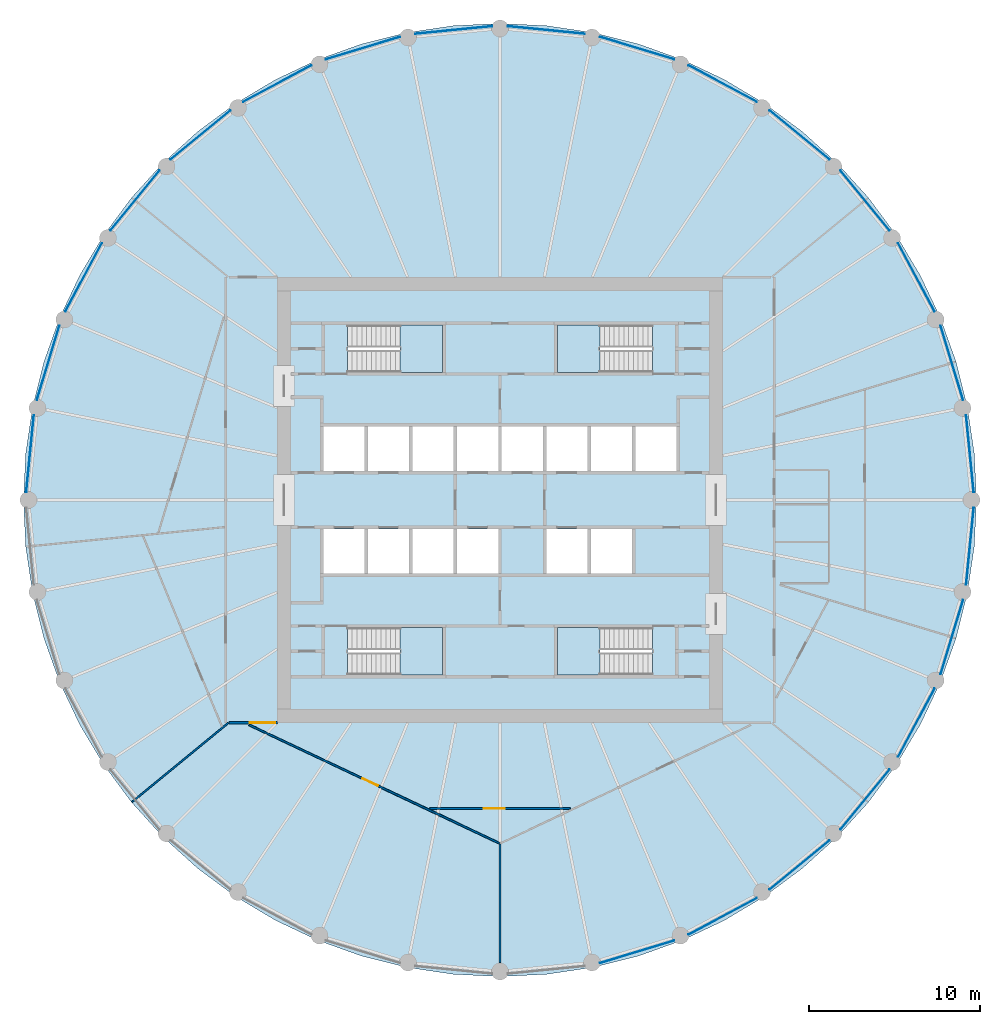
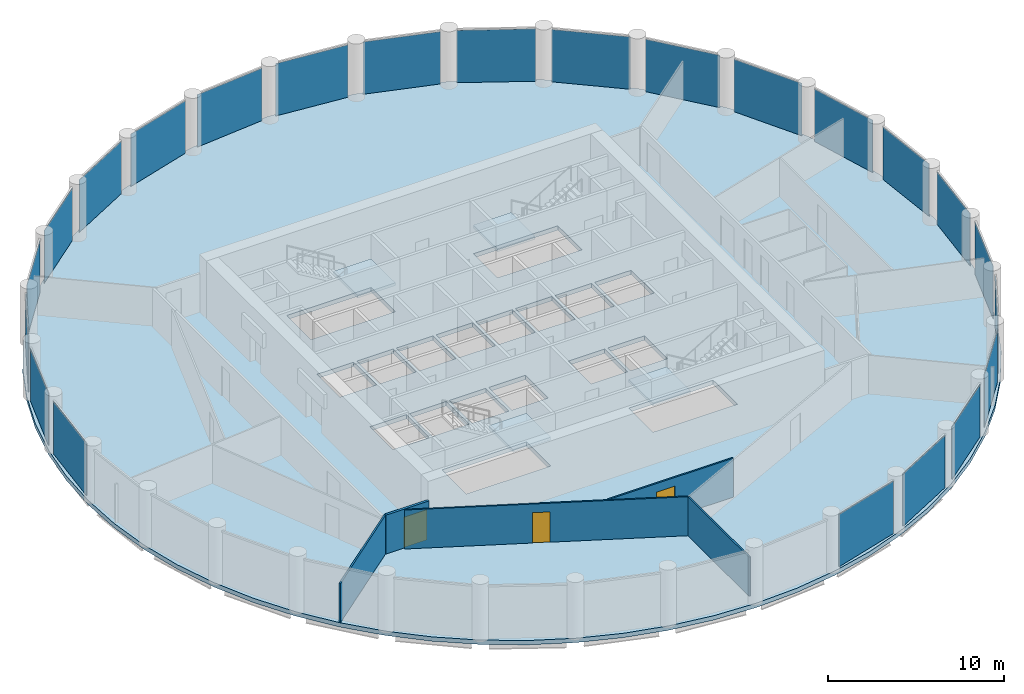
# One storey, part 3 of 8: 23 plates, 5 slabs, 5 walls, 3 doors, 3 openings, 27 elements without a shape of their own.
"""IFC4 building model written with IfcOpenShell, lengths in metres."""

from ifc_helpers import new_model, si_unit, direction, frame, frame_2d, origin, origin_2d, place, context, subcontext, project, spatial, polyline, rectangle, outline, extrude, material, layer, layer_set, type_object, element, fill, aggregate, save


model = new_model("IFC4")

# Units and contexts
model_context = context("Model", 3, precision=1e-05, world=origin(), true_north=direction((0.0, 1.0)))
body_context = subcontext(model_context, "Body", "Model", "MODEL_VIEW")
ifc_project = project(units=[si_unit("LENGTHUNIT", "METRE"), si_unit("AREAUNIT", "SQUARE_METRE"), si_unit("VOLUMEUNIT", "CUBIC_METRE"), si_unit("PLANEANGLEUNIT", "RADIAN"), si_unit("MASSUNIT", "GRAM", prefix="KILO")], contexts=[model_context])

# Site, building, storey
site_placement = place(None, origin())
site = spatial("IfcSite", under=ifc_project, at=site_placement, CompositionType="ELEMENT")
building_placement = place(site_placement, origin())
building = spatial("IfcBuilding", under=site, at=building_placement, Name="Corvane Civic Tower", CompositionType="ELEMENT")
storey_placement = place(building_placement, frame((0.0, 0.0, 245.5)))
storey = spatial("IfcBuildingStorey", under=building, at=storey_placement, Name="L58", CompositionType="ELEMENT", Elevation=245.5)

# Slab
ifc_material_1 = material(Name="Concrete C40/50", Category="concrete")
ifc_layer_1 = layer(ifc_material_1, 0.300048828125)
ifc_layer_set_1 = layer_set([ifc_layer_1], Name="Concrete C40/50")
slab_type_1 = type_object("IfcSlabType", Name="FLOOR SLAB 300", PredefinedType="FLOOR", material=ifc_layer_set_1)
slab_1_placement = place(storey_placement, frame((0.0, 0.0, -0.300048828125)))
element("IfcSlab", 1, at=slab_1_placement, inside=storey, type_object=slab_type_1, Name="SLB-L58", PredefinedType="FLOOR", context=body_context, shape_type="SweptSolid", body=[
    extrude(outline(polyline([(0.0, 27.800048828125), (-2.724853515625, 27.666015625), (-5.423583984375, 27.265869140625), (-8.06982421875, 26.60302734375), (-10.638671875, 25.683837890625), (-13.104736328125, 24.517333984375), (-15.44482421875, 23.11474609375), (-17.63623046875, 21.48974609375), (-19.657470703125, 19.657470703125), (-21.48974609375, 17.63623046875), (-23.11474609375, 15.44482421875), (-24.517333984375, 13.104736328125), (-25.683837890625, 10.638671875), (-26.60302734375, 8.06982421875), (-27.265869140625, 5.423583984375), (-27.666015625, 2.724853515625), (-27.800048828125, 0.0), (-27.666015625, -2.724853515625), (-27.265869140625, -5.423583984375), (-26.60302734375, -8.06982421875), (-25.683837890625, -10.638671875), (-24.517333984375, -13.104736328125), (-23.11474609375, -15.44482421875), (-21.48974609375, -17.63623046875), (-19.657470703125, -19.657470703125), (-17.63623046875, -21.48974609375), (-15.44482421875, -23.11474609375), (-13.104736328125, -24.517333984375), (-10.638671875, -25.683837890625), (-8.06982421875, -26.60302734375), (-5.423583984375, -27.265869140625), (-2.724853515625, -27.666015625), (0.0, -27.800048828125), (2.724853515625, -27.666015625), (5.423583984375, -27.265869140625), (8.06982421875, -26.60302734375), (10.638671875, -25.683837890625), (13.104736328125, -24.517333984375), (15.44482421875, -23.11474609375), (17.63623046875, -21.48974609375), (19.657470703125, -19.657470703125), (21.48974609375, -17.63623046875), (23.11474609375, -15.44482421875), (24.517333984375, -13.104736328125), (25.683837890625, -10.638671875), (26.60302734375, -8.06982421875), (27.265869140625, -5.423583984375), (27.666015625, -2.724853515625), (27.800048828125, 0.0), (27.666015625, 2.724853515625), (27.265869140625, 5.423583984375), (26.60302734375, 8.06982421875), (25.683837890625, 10.638671875), (24.517333984375, 13.104736328125), (23.11474609375, 15.44482421875), (21.48974609375, 17.63623046875), (19.657470703125, 19.657470703125), (17.63623046875, 21.48974609375), (15.44482421875, 23.11474609375), (13.104736328125, 24.517333984375), (10.638671875, 25.683837890625), (8.06982421875, 26.60302734375), (5.423583984375, 27.265869140625), (2.724853515625, 27.666015625), (0.0, 27.800048828125)]), holes=[polyline([(-10.300048828125, 4.300048828125), (-7.89990234375, 4.300048828125), (-7.89990234375, 1.699951171875), (-10.300048828125, 1.699951171875), (-10.300048828125, 4.300048828125)]), polyline([(-5.300048828125, 1.699951171875), (-7.699951171875, 1.699951171875), (-7.699951171875, 4.300048828125), (-5.300048828125, 4.300048828125), (-5.300048828125, 1.699951171875)]), polyline([(-5.10009765625, 4.300048828125), (-2.699951171875, 4.300048828125), (-2.699951171875, 1.699951171875), (-5.10009765625, 1.699951171875), (-5.10009765625, 4.300048828125)]), polyline([(-2.5, 4.300048828125), (-0.10009765625, 4.300048828125), (-0.10009765625, 1.699951171875), (-2.5, 1.699951171875), (-2.5, 4.300048828125)]), polyline([(0.10009765625, 4.300048828125), (2.5, 4.300048828125), (2.5, 1.699951171875), (0.10009765625, 1.699951171875), (0.10009765625, 4.300048828125)]), polyline([(2.699951171875, 4.300048828125), (5.10009765625, 4.300048828125), (5.10009765625, 1.699951171875), (2.699951171875, 1.699951171875), (2.699951171875, 4.300048828125)]), polyline([(5.300048828125, 4.300048828125), (7.699951171875, 4.300048828125), (7.699951171875, 1.699951171875), (5.300048828125, 1.699951171875), (5.300048828125, 4.300048828125)]), polyline([(7.89990234375, 4.300048828125), (10.300048828125, 4.300048828125), (10.300048828125, 1.699951171875), (7.89990234375, 1.699951171875), (7.89990234375, 4.300048828125)]), polyline([(-10.300048828125, -4.300048828125), (-10.300048828125, -1.699951171875), (-7.89990234375, -1.699951171875), (-7.89990234375, -4.300048828125), (-10.300048828125, -4.300048828125)]), polyline([(-5.300048828125, -1.699951171875), (-5.300048828125, -4.300048828125), (-7.699951171875, -4.300048828125), (-7.699951171875, -1.699951171875), (-5.300048828125, -1.699951171875)]), polyline([(-5.10009765625, -4.300048828125), (-5.10009765625, -1.699951171875), (-2.699951171875, -1.699951171875), (-2.699951171875, -4.300048828125), (-5.10009765625, -4.300048828125)]), polyline([(-0.10009765625, -1.699951171875), (-0.10009765625, -4.300048828125), (-2.5, -4.300048828125), (-2.5, -1.699951171875), (-0.10009765625, -1.699951171875)]), polyline([(5.10009765625, -1.699951171875), (5.10009765625, -4.300048828125), (2.699951171875, -4.300048828125), (2.699951171875, -1.699951171875), (5.10009765625, -1.699951171875)]), polyline([(7.699951171875, -1.699951171875), (7.699951171875, -4.300048828125), (5.300048828125, -4.300048828125), (5.300048828125, -1.699951171875), (7.699951171875, -1.699951171875)]), polyline([(8.889892578125, 10.199951171875), (8.889892578125, 7.449951171875), (3.35009765625, 7.449951171875), (3.35009765625, 10.199951171875), (8.889892578125, 10.199951171875)]), polyline([(-8.889892578125, 7.449951171875), (-8.889892578125, 10.199951171875), (-3.35009765625, 10.199951171875), (-3.35009765625, 7.449951171875), (-8.889892578125, 7.449951171875)]), polyline([(8.889892578125, -7.449951171875), (8.889892578125, -10.199951171875), (3.35009765625, -10.199951171875), (3.35009765625, -7.449951171875), (8.889892578125, -7.449951171875)]), polyline([(-8.889892578125, -10.199951171875), (-8.889892578125, -7.449951171875), (-3.35009765625, -7.449951171875), (-3.35009765625, -10.199951171875), (-8.889892578125, -10.199951171875)])]), origin(), (0.0, 0.0, 1.0), 0.300048828125),
])

# Stair, slab
ifc_material_2 = material(Name="Concrete C40/50", Category="concrete")
stair_type = type_object("IfcStairType", Name="ST-STAIR-HALFTURN", PredefinedType="HALF_TURN_STAIR", material=ifc_material_2)
stair_1_placement = place(storey_placement, origin())
stair_1 = element("IfcStair", 2, at=stair_1_placement, inside=storey, type_object=stair_type, Name="L58 Exit stair ST1", PredefinedType="HALF_TURN_STAIR")
ifc_material_3 = material(Name="Concrete C40/50", Category="concrete")
ifc_layer_2 = layer(ifc_material_3, 0.199951171875)
ifc_layer_set_2 = layer_set([ifc_layer_2], Name="Concrete C40/50")
slab_type_2 = type_object("IfcSlabType", Name="ST-LANDING-RC", PredefinedType="LANDING", material=ifc_layer_set_2)
slab_2_placement = place(storey_placement, frame((0.0, 0.0, 1.800048828125)))
slab_2 = element("IfcSlab", 3, at=slab_2_placement, type_object=slab_type_2, Name="ST1 landing 1", PredefinedType="LANDING", context=body_context, shape_type="SweptSolid", body=[
    extrude(outline(polyline([(5.820068359375, 10.199951171875), (3.35009765625, 10.199951171875), (3.35009765625, 7.449951171875), (5.820068359375, 7.449951171875), (5.820068359375, 10.199951171875)])), origin(), (0.0, 0.0, 1.0), 0.199951171875),
])
aggregate(stair_1, [slab_2])

stair_2_placement = place(storey_placement, origin())
stair_2 = element("IfcStair", 4, at=stair_2_placement, inside=storey, type_object=stair_type, Name="L58 Exit stair ST2", PredefinedType="HALF_TURN_STAIR")
slab_3_placement = place(storey_placement, frame((0.0, 0.0, 1.800048828125)))
slab_3 = element("IfcSlab", 5, at=slab_3_placement, type_object=slab_type_2, Name="ST2 landing 1", PredefinedType="LANDING", context=body_context, shape_type="SweptSolid", body=[
    extrude(outline(polyline([(5.820068359375, -7.449951171875), (3.35009765625, -7.449951171875), (3.35009765625, -10.199951171875), (5.820068359375, -10.199951171875), (5.820068359375, -7.449951171875)])), origin(), (0.0, 0.0, 1.0), 0.199951171875),
])
aggregate(stair_2, [slab_3])

stair_3_placement = place(storey_placement, origin())
stair_3 = element("IfcStair", 6, at=stair_3_placement, inside=storey, type_object=stair_type, Name="L58 Exit stair ST3", PredefinedType="HALF_TURN_STAIR")
slab_4_placement = place(storey_placement, frame((0.0, 0.0, 1.800048828125)))
slab_4 = element("IfcSlab", 7, at=slab_4_placement, type_object=slab_type_2, Name="ST3 landing 1", PredefinedType="LANDING", context=body_context, shape_type="SweptSolid", body=[
    extrude(outline(polyline([(-5.820068359375, -10.199951171875), (-3.35009765625, -10.199951171875), (-3.35009765625, -7.449951171875), (-5.820068359375, -7.449951171875), (-5.820068359375, -10.199951171875)])), origin(), (0.0, 0.0, 1.0), 0.199951171875),
])
aggregate(stair_3, [slab_4])

stair_4_placement = place(storey_placement, origin())
stair_4 = element("IfcStair", 8, at=stair_4_placement, inside=storey, type_object=stair_type, Name="L58 Exit stair ST4", PredefinedType="HALF_TURN_STAIR")
slab_5_placement = place(storey_placement, frame((0.0, 0.0, 1.800048828125)))
slab_5 = element("IfcSlab", 9, at=slab_5_placement, type_object=slab_type_2, Name="ST4 landing 1", PredefinedType="LANDING", context=body_context, shape_type="SweptSolid", body=[
    extrude(outline(polyline([(-5.820068359375, 7.449951171875), (-3.35009765625, 7.449951171875), (-3.35009765625, 10.199951171875), (-5.820068359375, 10.199951171875), (-5.820068359375, 7.449951171875)])), origin(), (0.0, 0.0, 1.0), 0.199951171875),
])
aggregate(stair_4, [slab_5])

# Curtain wall, plate
ifc_material_4 = material(Name="Anodised aluminium bronze", Category="aluminium")
curtain_wall_type = type_object("IfcCurtainWallType", Name="TOWER CW-T2 STICK CURTAIN WALL", PredefinedType="NOTDEFINED", material=ifc_material_4)
curtain_wall_1_placement = place(storey_placement, origin())
curtain_wall_1 = element("IfcCurtainWall", 10, at=curtain_wall_1_placement, inside=storey, type_object=curtain_wall_type, Name="Curtain wall CW-T2 L58 bay 01", PredefinedType="NOTDEFINED")
ifc_material_5 = material(Name="Tinted glass", Category="glass")
ifc_layer_3 = layer(ifc_material_5, 0.031982421875)
ifc_layer_set_3 = layer_set([ifc_layer_3], Name="Tinted glass")
plate_type = type_object("IfcPlateType", Name="TOWER CW-T2 PANEL IGU32", PredefinedType="CURTAIN_PANEL", material=ifc_layer_set_3)
plate_1_placement = place(storey_placement, frame((2.699951171875, 27.4140625, 0.0), z_axis=(0.0, 0.0, 1.0), x_axis=(0.995187058378, -0.097993463235, 0.0)))
plate_1 = element("IfcPlate", 11, at=plate_1_placement, type_object=plate_type, Name="Glass panel CW-T2 L58 01.1", PredefinedType="CURTAIN_PANEL", context=body_context, shape_type="SweptSolid", body=[
    extrude(rectangle(XDim=4.517333984375, YDim=0.031982421875, at=origin_2d()), origin(), (0.0, 0.0, 1.0), 3.6298828125),
])
aggregate(curtain_wall_1, [plate_1])

curtain_wall_2_placement = place(storey_placement, origin())
curtain_wall_2 = element("IfcCurtainWall", 12, at=curtain_wall_2_placement, inside=storey, type_object=curtain_wall_type, Name="Curtain wall CW-T2 L58 bay 02", PredefinedType="NOTDEFINED")
plate_2_placement = place(storey_placement, frame((7.996337890625, 26.360595703125, 0.0), z_axis=(0.0, 0.0, 1.0), x_axis=(0.956938843612, -0.290289596069, 0.0)))
plate_2 = element("IfcPlate", 13, at=plate_2_placement, type_object=plate_type, Name="Glass panel CW-T2 L58 02.1", PredefinedType="CURTAIN_PANEL", context=body_context, shape_type="SweptSolid", body=[
    extrude(rectangle(XDim=4.517333984375, YDim=0.031982421875, at=origin_2d()), origin(), (0.0, 0.0, 1.0), 3.6298828125),
])
aggregate(curtain_wall_2, [plate_2])

curtain_wall_3_placement = place(storey_placement, origin())
curtain_wall_3 = element("IfcCurtainWall", 14, at=curtain_wall_3_placement, inside=storey, type_object=curtain_wall_type, Name="Curtain wall CW-T2 L58 bay 03", PredefinedType="NOTDEFINED")
plate_3_placement = place(storey_placement, frame((12.9853515625, 24.294189453125, 0.0), z_axis=(0.0, 0.0, 1.0), x_axis=(0.881920381001, -0.471398389449, 0.0)))
plate_3 = element("IfcPlate", 15, at=plate_3_placement, type_object=plate_type, Name="Glass panel CW-T2 L58 03.1", PredefinedType="CURTAIN_PANEL", context=body_context, shape_type="SweptSolid", body=[
    extrude(rectangle(XDim=4.517333984375, YDim=0.031982421875, at=origin_2d()), origin(), (0.0, 0.0, 1.0), 3.6298828125),
])
aggregate(curtain_wall_3, [plate_3])

curtain_wall_4_placement = place(storey_placement, origin())
curtain_wall_4 = element("IfcCurtainWall", 16, at=curtain_wall_4_placement, inside=storey, type_object=curtain_wall_type, Name="Curtain wall CW-T2 L58 bay 04", PredefinedType="NOTDEFINED")
plate_4_placement = place(storey_placement, frame((17.475341796875, 21.2939453125, 0.0), z_axis=(0.0, 0.0, 1.0), x_axis=(0.773012269331, -0.634391071394, 0.0)))
plate_4 = element("IfcPlate", 17, at=plate_4_placement, type_object=plate_type, Name="Glass panel CW-T2 L58 04.1", PredefinedType="CURTAIN_PANEL", context=body_context, shape_type="SweptSolid", body=[
    extrude(rectangle(XDim=4.517333984375, YDim=0.031982421875, at=origin_2d()), origin(), (0.0, 0.0, 1.0), 3.6298828125),
])
aggregate(curtain_wall_4, [plate_4])

curtain_wall_5_placement = place(storey_placement, origin())
curtain_wall_5 = element("IfcCurtainWall", 18, at=curtain_wall_5_placement, inside=storey, type_object=curtain_wall_type, Name="Curtain wall CW-T2 L58 bay 05", PredefinedType="NOTDEFINED")
plate_5_placement = place(storey_placement, frame((21.2939453125, 17.475341796875, 0.0), z_axis=(0.0, 0.0, 1.0), x_axis=(0.634391071394, -0.773012269331, 0.0)))
plate_5 = element("IfcPlate", 19, at=plate_5_placement, type_object=plate_type, Name="Glass panel CW-T2 L58 05.1", PredefinedType="CURTAIN_PANEL", context=body_context, shape_type="SweptSolid", body=[
    extrude(rectangle(XDim=4.517333984375, YDim=0.031982421875, at=origin_2d()), origin(), (0.0, 0.0, 1.0), 3.6298828125),
])
aggregate(curtain_wall_5, [plate_5])

curtain_wall_6_placement = place(storey_placement, origin())
curtain_wall_6 = element("IfcCurtainWall", 20, at=curtain_wall_6_placement, inside=storey, type_object=curtain_wall_type, Name="Curtain wall CW-T2 L58 bay 06", PredefinedType="NOTDEFINED")
plate_6_placement = place(storey_placement, frame((24.294189453125, 12.9853515625, 0.0), z_axis=(0.0, 0.0, 1.0), x_axis=(0.471398389449, -0.881920381001, 0.0)))
plate_6 = element("IfcPlate", 21, at=plate_6_placement, type_object=plate_type, Name="Glass panel CW-T2 L58 06.1", PredefinedType="CURTAIN_PANEL", context=body_context, shape_type="SweptSolid", body=[
    extrude(rectangle(XDim=4.517333984375, YDim=0.031982421875, at=origin_2d()), origin(), (0.0, 0.0, 1.0), 3.6298828125),
])
aggregate(curtain_wall_6, [plate_6])

curtain_wall_7_placement = place(storey_placement, origin())
curtain_wall_7 = element("IfcCurtainWall", 22, at=curtain_wall_7_placement, inside=storey, type_object=curtain_wall_type, Name="Curtain wall CW-T2 L58 bay 07", PredefinedType="NOTDEFINED")
plate_7_placement = place(storey_placement, frame((26.360595703125, 7.996337890625, 0.0), z_axis=(0.0, 0.0, 1.0), x_axis=(0.290289596069, -0.956938843612, 0.0)))
plate_7 = element("IfcPlate", 23, at=plate_7_placement, type_object=plate_type, Name="Glass panel CW-T2 L58 07.1", PredefinedType="CURTAIN_PANEL", context=body_context, shape_type="SweptSolid", body=[
    extrude(rectangle(XDim=4.517333984375, YDim=0.031982421875, at=origin_2d()), origin(), (0.0, 0.0, 1.0), 3.6298828125),
])
aggregate(curtain_wall_7, [plate_7])

curtain_wall_8_placement = place(storey_placement, origin())
curtain_wall_8 = element("IfcCurtainWall", 24, at=curtain_wall_8_placement, inside=storey, type_object=curtain_wall_type, Name="Curtain wall CW-T2 L58 bay 08", PredefinedType="NOTDEFINED")
plate_8_placement = place(storey_placement, frame((27.4140625, 2.699951171875, 0.0), z_axis=(0.0, 0.0, 1.0), x_axis=(0.097993463235, -0.995187058378, 0.0)))
plate_8 = element("IfcPlate", 25, at=plate_8_placement, type_object=plate_type, Name="Glass panel CW-T2 L58 08.1", PredefinedType="CURTAIN_PANEL", context=body_context, shape_type="SweptSolid", body=[
    extrude(rectangle(XDim=4.517333984375, YDim=0.031982421875, at=origin_2d()), origin(), (0.0, 0.0, 1.0), 3.6298828125),
])
aggregate(curtain_wall_8, [plate_8])

curtain_wall_9_placement = place(storey_placement, origin())
curtain_wall_9 = element("IfcCurtainWall", 26, at=curtain_wall_9_placement, inside=storey, type_object=curtain_wall_type, Name="Curtain wall CW-T2 L58 bay 09", PredefinedType="NOTDEFINED")
plate_9_placement = place(storey_placement, frame((27.4140625, -2.699951171875, 0.0), z_axis=(0.0, 0.0, 1.0), x_axis=(-0.097993463235, -0.995187058378, 0.0)))
plate_9 = element("IfcPlate", 27, at=plate_9_placement, type_object=plate_type, Name="Glass panel CW-T2 L58 09.1", PredefinedType="CURTAIN_PANEL", context=body_context, shape_type="SweptSolid", body=[
    extrude(rectangle(XDim=4.517333984375, YDim=0.031982421875, at=origin_2d()), origin(), (0.0, 0.0, 1.0), 3.6298828125),
])
aggregate(curtain_wall_9, [plate_9])

curtain_wall_10_placement = place(storey_placement, origin())
curtain_wall_10 = element("IfcCurtainWall", 28, at=curtain_wall_10_placement, inside=storey, type_object=curtain_wall_type, Name="Curtain wall CW-T2 L58 bay 10", PredefinedType="NOTDEFINED")
plate_10_placement = place(storey_placement, frame((26.360595703125, -7.996337890625, 0.0), z_axis=(0.0, 0.0, 1.0), x_axis=(-0.290289596069, -0.956938843612, 0.0)))
plate_10 = element("IfcPlate", 29, at=plate_10_placement, type_object=plate_type, Name="Glass panel CW-T2 L58 10.1", PredefinedType="CURTAIN_PANEL", context=body_context, shape_type="SweptSolid", body=[
    extrude(rectangle(XDim=4.517333984375, YDim=0.031982421875, at=origin_2d()), origin(), (0.0, 0.0, 1.0), 3.6298828125),
])
aggregate(curtain_wall_10, [plate_10])

curtain_wall_11_placement = place(storey_placement, origin())
curtain_wall_11 = element("IfcCurtainWall", 30, at=curtain_wall_11_placement, inside=storey, type_object=curtain_wall_type, Name="Curtain wall CW-T2 L58 bay 11", PredefinedType="NOTDEFINED")
plate_11_placement = place(storey_placement, frame((24.294189453125, -12.9853515625, 0.0), z_axis=(0.0, 0.0, 1.0), x_axis=(-0.471398389449, -0.881920381001, 0.0)))
plate_11 = element("IfcPlate", 31, at=plate_11_placement, type_object=plate_type, Name="Glass panel CW-T2 L58 11.1", PredefinedType="CURTAIN_PANEL", context=body_context, shape_type="SweptSolid", body=[
    extrude(rectangle(XDim=4.517333984375, YDim=0.031982421875, at=origin_2d()), origin(), (0.0, 0.0, 1.0), 3.6298828125),
])
aggregate(curtain_wall_11, [plate_11])

curtain_wall_12_placement = place(storey_placement, origin())
curtain_wall_12 = element("IfcCurtainWall", 32, at=curtain_wall_12_placement, inside=storey, type_object=curtain_wall_type, Name="Curtain wall CW-T2 L58 bay 12", PredefinedType="NOTDEFINED")
plate_12_placement = place(storey_placement, frame((21.2939453125, -17.475341796875, 0.0), z_axis=(0.0, 0.0, 1.0), x_axis=(-0.634391071394, -0.773012269331, 0.0)))
plate_12 = element("IfcPlate", 33, at=plate_12_placement, type_object=plate_type, Name="Glass panel CW-T2 L58 12.1", PredefinedType="CURTAIN_PANEL", context=body_context, shape_type="SweptSolid", body=[
    extrude(rectangle(XDim=4.517333984375, YDim=0.031982421875, at=origin_2d()), origin(), (0.0, 0.0, 1.0), 3.6298828125),
])
aggregate(curtain_wall_12, [plate_12])

curtain_wall_13_placement = place(storey_placement, origin())
curtain_wall_13 = element("IfcCurtainWall", 34, at=curtain_wall_13_placement, inside=storey, type_object=curtain_wall_type, Name="Curtain wall CW-T2 L58 bay 13", PredefinedType="NOTDEFINED")
plate_13_placement = place(storey_placement, frame((17.475341796875, -21.2939453125, 0.0), z_axis=(0.0, 0.0, 1.0), x_axis=(-0.773012269331, -0.634391071394, 0.0)))
plate_13 = element("IfcPlate", 35, at=plate_13_placement, type_object=plate_type, Name="Glass panel CW-T2 L58 13.1", PredefinedType="CURTAIN_PANEL", context=body_context, shape_type="SweptSolid", body=[
    extrude(rectangle(XDim=4.517333984375, YDim=0.031982421875, at=origin_2d()), origin(), (0.0, 0.0, 1.0), 3.6298828125),
])
aggregate(curtain_wall_13, [plate_13])

curtain_wall_14_placement = place(storey_placement, origin())
curtain_wall_14 = element("IfcCurtainWall", 36, at=curtain_wall_14_placement, inside=storey, type_object=curtain_wall_type, Name="Curtain wall CW-T2 L58 bay 14", PredefinedType="NOTDEFINED")
plate_14_placement = place(storey_placement, frame((12.9853515625, -24.294189453125, 0.0), z_axis=(0.0, 0.0, 1.0), x_axis=(-0.881920381001, -0.471398389449, 0.0)))
plate_14 = element("IfcPlate", 37, at=plate_14_placement, type_object=plate_type, Name="Glass panel CW-T2 L58 14.1", PredefinedType="CURTAIN_PANEL", context=body_context, shape_type="SweptSolid", body=[
    extrude(rectangle(XDim=4.517333984375, YDim=0.031982421875, at=origin_2d()), origin(), (0.0, 0.0, 1.0), 3.6298828125),
])
aggregate(curtain_wall_14, [plate_14])

curtain_wall_15_placement = place(storey_placement, origin())
curtain_wall_15 = element("IfcCurtainWall", 38, at=curtain_wall_15_placement, inside=storey, type_object=curtain_wall_type, Name="Curtain wall CW-T2 L58 bay 15", PredefinedType="NOTDEFINED")
plate_15_placement = place(storey_placement, frame((7.996337890625, -26.360595703125, 0.0), z_axis=(0.0, 0.0, 1.0), x_axis=(-0.956938843612, -0.290289596069, 0.0)))
plate_15 = element("IfcPlate", 39, at=plate_15_placement, type_object=plate_type, Name="Glass panel CW-T2 L58 15.1", PredefinedType="CURTAIN_PANEL", context=body_context, shape_type="SweptSolid", body=[
    extrude(rectangle(XDim=4.517333984375, YDim=0.031982421875, at=origin_2d()), origin(), (0.0, 0.0, 1.0), 3.6298828125),
])
aggregate(curtain_wall_15, [plate_15])

curtain_wall_16_placement = place(storey_placement, origin())
curtain_wall_16 = element("IfcCurtainWall", 40, at=curtain_wall_16_placement, inside=storey, type_object=curtain_wall_type, Name="Curtain wall CW-T2 L58 bay 25", PredefinedType="NOTDEFINED")
plate_16_placement = place(storey_placement, frame((-27.4140625, 2.699951171875, 0.0), z_axis=(0.0, 0.0, 1.0), x_axis=(0.097993463235, 0.995187058378, 0.0)))
plate_16 = element("IfcPlate", 41, at=plate_16_placement, type_object=plate_type, Name="Glass panel CW-T2 L58 25.1", PredefinedType="CURTAIN_PANEL", context=body_context, shape_type="SweptSolid", body=[
    extrude(rectangle(XDim=4.517333984375, YDim=0.031982421875, at=origin_2d()), origin(), (0.0, 0.0, 1.0), 3.6298828125),
])
aggregate(curtain_wall_16, [plate_16])

curtain_wall_17_placement = place(storey_placement, origin())
curtain_wall_17 = element("IfcCurtainWall", 42, at=curtain_wall_17_placement, inside=storey, type_object=curtain_wall_type, Name="Curtain wall CW-T2 L58 bay 26", PredefinedType="NOTDEFINED")
plate_17_placement = place(storey_placement, frame((-26.360595703125, 7.996337890625, 0.0), z_axis=(0.0, 0.0, 1.0), x_axis=(0.290289596069, 0.956938843612, 0.0)))
plate_17 = element("IfcPlate", 43, at=plate_17_placement, type_object=plate_type, Name="Glass panel CW-T2 L58 26.1", PredefinedType="CURTAIN_PANEL", context=body_context, shape_type="SweptSolid", body=[
    extrude(rectangle(XDim=4.517333984375, YDim=0.031982421875, at=origin_2d()), origin(), (0.0, 0.0, 1.0), 3.6298828125),
])
aggregate(curtain_wall_17, [plate_17])

curtain_wall_18_placement = place(storey_placement, origin())
curtain_wall_18 = element("IfcCurtainWall", 44, at=curtain_wall_18_placement, inside=storey, type_object=curtain_wall_type, Name="Curtain wall CW-T2 L58 bay 27", PredefinedType="NOTDEFINED")
plate_18_placement = place(storey_placement, frame((-24.294189453125, 12.9853515625, 0.0), z_axis=(0.0, 0.0, 1.0), x_axis=(0.471398389449, 0.881920381001, 0.0)))
plate_18 = element("IfcPlate", 45, at=plate_18_placement, type_object=plate_type, Name="Glass panel CW-T2 L58 27.1", PredefinedType="CURTAIN_PANEL", context=body_context, shape_type="SweptSolid", body=[
    extrude(rectangle(XDim=4.517333984375, YDim=0.031982421875, at=origin_2d()), origin(), (0.0, 0.0, 1.0), 3.6298828125),
])
aggregate(curtain_wall_18, [plate_18])

curtain_wall_19_placement = place(storey_placement, origin())
curtain_wall_19 = element("IfcCurtainWall", 46, at=curtain_wall_19_placement, inside=storey, type_object=curtain_wall_type, Name="Curtain wall CW-T2 L58 bay 28", PredefinedType="NOTDEFINED")
plate_19_placement = place(storey_placement, frame((-21.2939453125, 17.475341796875, 0.0), z_axis=(0.0, 0.0, 1.0), x_axis=(0.634391071394, 0.773012269331, 0.0)))
plate_19 = element("IfcPlate", 47, at=plate_19_placement, type_object=plate_type, Name="Glass panel CW-T2 L58 28.1", PredefinedType="CURTAIN_PANEL", context=body_context, shape_type="SweptSolid", body=[
    extrude(rectangle(XDim=4.517333984375, YDim=0.031982421875, at=origin_2d()), origin(), (0.0, 0.0, 1.0), 3.6298828125),
])
aggregate(curtain_wall_19, [plate_19])

curtain_wall_20_placement = place(storey_placement, origin())
curtain_wall_20 = element("IfcCurtainWall", 48, at=curtain_wall_20_placement, inside=storey, type_object=curtain_wall_type, Name="Curtain wall CW-T2 L58 bay 29", PredefinedType="NOTDEFINED")
plate_20_placement = place(storey_placement, frame((-17.475341796875, 21.2939453125, 0.0), z_axis=(0.0, 0.0, 1.0), x_axis=(0.773012269331, 0.634391071394, 0.0)))
plate_20 = element("IfcPlate", 49, at=plate_20_placement, type_object=plate_type, Name="Glass panel CW-T2 L58 29.1", PredefinedType="CURTAIN_PANEL", context=body_context, shape_type="SweptSolid", body=[
    extrude(rectangle(XDim=4.517333984375, YDim=0.031982421875, at=origin_2d()), origin(), (0.0, 0.0, 1.0), 3.6298828125),
])
aggregate(curtain_wall_20, [plate_20])

curtain_wall_21_placement = place(storey_placement, origin())
curtain_wall_21 = element("IfcCurtainWall", 50, at=curtain_wall_21_placement, inside=storey, type_object=curtain_wall_type, Name="Curtain wall CW-T2 L58 bay 30", PredefinedType="NOTDEFINED")
plate_21_placement = place(storey_placement, frame((-12.9853515625, 24.294189453125, 0.0), z_axis=(0.0, 0.0, 1.0), x_axis=(0.881920381001, 0.471398389449, 0.0)))
plate_21 = element("IfcPlate", 51, at=plate_21_placement, type_object=plate_type, Name="Glass panel CW-T2 L58 30.1", PredefinedType="CURTAIN_PANEL", context=body_context, shape_type="SweptSolid", body=[
    extrude(rectangle(XDim=4.517333984375, YDim=0.031982421875, at=origin_2d()), origin(), (0.0, 0.0, 1.0), 3.6298828125),
])
aggregate(curtain_wall_21, [plate_21])

curtain_wall_22_placement = place(storey_placement, origin())
curtain_wall_22 = element("IfcCurtainWall", 52, at=curtain_wall_22_placement, inside=storey, type_object=curtain_wall_type, Name="Curtain wall CW-T2 L58 bay 31", PredefinedType="NOTDEFINED")
plate_22_placement = place(storey_placement, frame((-7.996337890625, 26.360595703125, 0.0), z_axis=(0.0, 0.0, 1.0), x_axis=(0.956938843612, 0.290289596069, 0.0)))
plate_22 = element("IfcPlate", 53, at=plate_22_placement, type_object=plate_type, Name="Glass panel CW-T2 L58 31.1", PredefinedType="CURTAIN_PANEL", context=body_context, shape_type="SweptSolid", body=[
    extrude(rectangle(XDim=4.517333984375, YDim=0.031982421875, at=origin_2d()), origin(), (0.0, 0.0, 1.0), 3.6298828125),
])
aggregate(curtain_wall_22, [plate_22])

curtain_wall_23_placement = place(storey_placement, origin())
curtain_wall_23 = element("IfcCurtainWall", 54, at=curtain_wall_23_placement, inside=storey, type_object=curtain_wall_type, Name="Curtain wall CW-T2 L58 bay 32", PredefinedType="NOTDEFINED")
plate_23_placement = place(storey_placement, frame((-2.699951171875, 27.4140625, 0.0), z_axis=(0.0, 0.0, 1.0), x_axis=(0.995187058378, 0.097993463235, 0.0)))
plate_23 = element("IfcPlate", 55, at=plate_23_placement, type_object=plate_type, Name="Glass panel CW-T2 L58 32.1", PredefinedType="CURTAIN_PANEL", context=body_context, shape_type="SweptSolid", body=[
    extrude(rectangle(XDim=4.517333984375, YDim=0.031982421875, at=origin_2d()), origin(), (0.0, 0.0, 1.0), 3.6298828125),
])
aggregate(curtain_wall_23, [plate_23])

# Wall
ifc_material_6 = material(Name="Plasterboard")
ifc_layer_4 = layer(ifc_material_6, 0.10009765625)
ifc_layer_set_4 = layer_set([ifc_layer_4], Name="Plasterboard")
wall_type_1 = type_object("IfcWallType", Name="Partition 100 plasterboard on studs", PredefinedType="PARTITIONING", material=ifc_layer_set_4)
wall_1_placement = place(storey_placement, frame((0.0, -26.989990234375, 0.0), z_axis=(0.0, 0.0, 1.0), x_axis=(0.0, 1.0, 0.0)))
element("IfcWall", 56, at=wall_1_placement, inside=storey, type_object=wall_type_1, Name="Partition L58.001", PredefinedType="PARTITIONING", context=body_context, shape_type="SweptSolid", body=[
    extrude(rectangle(XDim=6.91748046875, YDim=0.10009765625, at=frame_2d((3.458740234375, 0.0))), origin(), (0.0, 0.0, 1.0), 2.699951171875),
])

# Wall, opening, door
wall_2_placement = place(storey_placement, frame((-14.632568359375, -13.1201171875, 0.0), z_axis=(0.0, 0.0, 1.0), x_axis=(0.903988165601, -0.427557477368, 0.0)))
wall_2 = element("IfcWall", 57, at=wall_2_placement, inside=storey, type_object=wall_type_1, Name="Partition L58.002", PredefinedType="PARTITIONING", context=body_context, shape_type="SweptSolid", body=[
    extrude(rectangle(XDim=16.155029296875, YDim=0.10009765625, at=frame_2d((8.07763671875, 0.0))), origin(), (0.0, 0.0, 1.0), 2.699951171875),
])
opening_1_placement = place(wall_2_placement, frame((7.306884765625, 0.0, 0.0)))
opening_1 = element("IfcOpeningElement", 58, at=opening_1_placement, cuts=wall_2, Name="Opening L58.003", PredefinedType="OPENING", context=body_context, shape_type="SweptSolid", body=[
    extrude(rectangle(XDim=1.0, YDim=2.10009765625, at=frame_2d((0.5, 1.050048828125))), frame((0.0, 0.06005859375, 0.0), z_axis=(0.0, -1.0, 0.0), x_axis=(1.0, 0.0, 0.0)), (0.0, 0.0, 1.0), 0.1201171875),
])
ifc_material_7 = material(Name="Timber", Category="wood")
door_type_1 = type_object("IfcDoorType", Name="Single door 1000", OperationType="NOTDEFINED", PredefinedType="DOOR", material=ifc_material_7)
door_1_placement = place(opening_1_placement, frame((1.0, 0.0, 0.0), z_axis=(0.0, 0.0, 1.0), x_axis=(-1.0, 0.0, 0.0)))
door_1 = element("IfcDoor", 59, at=door_1_placement, inside=storey, type_object=door_type_1, Name="Door L58.003", OperationType="SINGLE_SWING_RIGHT", OverallHeight=2.10009765625, OverallWidth=1.0, PredefinedType="DOOR", context=body_context, shape_type="SweptSolid", body=[
    extrude(rectangle(XDim=1.0, YDim=2.10009765625, at=frame_2d((0.5, 1.050048828125))), frame((0.0, 0.02490234375, 0.0), z_axis=(0.0, -1.0, 0.0), x_axis=(1.0, 0.0, 0.0)), (0.0, 0.0, 1.0), 0.050048828125),
])
fill(opening_1, door_1)

wall_3_placement = place(storey_placement, frame((-4.092529296875, -18.0, 0.0), z_axis=(0.0, 0.0, 1.0), x_axis=(1.0, 0.0, 0.0)))
wall_3 = element("IfcWall", 60, at=wall_3_placement, inside=storey, type_object=wall_type_1, Name="Partition L58.004", PredefinedType="PARTITIONING", context=body_context, shape_type="SweptSolid", body=[
    extrude(rectangle(XDim=8.18505859375, YDim=0.10009765625, at=frame_2d((4.092529296875, 0.0))), origin(), (0.0, 0.0, 1.0), 2.699951171875),
])
opening_2_placement = place(wall_3_placement, frame((3.157958984375, 0.0, 0.0)))
opening_2 = element("IfcOpeningElement", 61, at=opening_2_placement, cuts=wall_3, Name="Opening L58.004", PredefinedType="OPENING", context=body_context, shape_type="SweptSolid", body=[
    extrude(rectangle(XDim=1.199951171875, YDim=2.10009765625, at=frame_2d((0.60009765625, 1.050048828125))), frame((0.0, 0.06005859375, 0.0), z_axis=(0.0, -1.0, 0.0), x_axis=(1.0, 0.0, 0.0)), (0.0, 0.0, 1.0), 0.1201171875),
])
ifc_material_8 = material(Name="Timber", Category="wood")
door_type_2 = type_object("IfcDoorType", Name="Double door 1200", OperationType="NOTDEFINED", PredefinedType="DOOR", material=ifc_material_8)
door_2_placement = place(opening_2_placement, frame((1.199951171875, 0.0, 0.0), z_axis=(0.0, 0.0, 1.0), x_axis=(-1.0, 0.0, 0.0)))
door_2 = element("IfcDoor", 62, at=door_2_placement, inside=storey, type_object=door_type_2, Name="Door L58.004", OperationType="DOUBLE_DOOR_SINGLE_SWING", OverallHeight=2.10009765625, OverallWidth=1.199951171875, PredefinedType="DOOR", context=body_context, shape_type="SweptSolid", body=[
    extrude(rectangle(XDim=1.199951171875, YDim=2.10009765625, at=frame_2d((0.60009765625, 1.050048828125))), frame((0.0, 0.02490234375, 0.0), z_axis=(0.0, -1.0, 0.0), x_axis=(1.0, 0.0, 0.0)), (0.0, 0.0, 1.0), 0.050048828125),
])
fill(opening_2, door_2)

# Wall
wall_4_placement = place(storey_placement, frame((-21.451171875, -17.6044921875, 0.0), z_axis=(0.0, 0.0, 1.0), x_axis=(0.772997895748, 0.634408585352, 0.0)))
element("IfcWall", 63, at=wall_4_placement, inside=storey, type_object=wall_type_1, Name="Partition L58.005", PredefinedType="PARTITIONING", context=body_context, shape_type="SweptSolid", body=[
    extrude(rectangle(XDim=7.240234375, YDim=0.10009765625, at=frame_2d((3.6201171875, 0.0))), origin(), (0.0, 0.0, 1.0), 2.699951171875),
])

# Wall, opening, door
ifc_material_9 = material(Name="Plasterboard")
ifc_layer_5 = layer(ifc_material_9, 0.14990234375)
ifc_layer_set_5 = layer_set([ifc_layer_5], Name="Plasterboard")
wall_type_2 = type_object("IfcWallType", Name="Tenancy wall 150 EI 60", PredefinedType="PARTITIONING", material=ifc_layer_set_5)
wall_5_placement = place(storey_placement, frame((-15.813720703125, -13.0, 0.0), z_axis=(0.0, 0.0, 1.0), x_axis=(1.0, 0.0, 0.0)))
wall_5 = element("IfcWall", 64, at=wall_5_placement, inside=storey, type_object=wall_type_2, Name="Partition L58.009", PredefinedType="PARTITIONING", context=body_context, shape_type="SweptSolid", body=[
    extrude(rectangle(XDim=2.82373046875, YDim=0.14990234375, at=frame_2d((1.411865234375, 0.0))), origin(), (0.0, 0.0, 1.0), 2.699951171875),
])
opening_3_placement = place(wall_5_placement, frame((1.214599609375, 0.0, 0.0)))
opening_3 = element("IfcOpeningElement", 65, at=opening_3_placement, cuts=wall_5, Name="Opening L58.005", PredefinedType="OPENING", context=body_context, shape_type="SweptSolid", body=[
    extrude(rectangle(XDim=1.5, YDim=2.10009765625, at=frame_2d((0.75, 1.050048828125))), frame((0.0, 0.0849609375, 0.0), z_axis=(0.0, -1.0, 0.0), x_axis=(1.0, 0.0, 0.0)), (0.0, 0.0, 1.0), 0.169921875),
])
ifc_material_10 = material(Name="Steel and timber", Category="steel")
door_type_3 = type_object("IfcDoorType", Name="Fire door FD60 double 1500", OperationType="NOTDEFINED", PredefinedType="DOOR", material=ifc_material_10)
door_3_placement = place(opening_3_placement, frame((1.5, 0.0, 0.0), z_axis=(0.0, 0.0, 1.0), x_axis=(-1.0, 0.0, 0.0)))
door_3 = element("IfcDoor", 66, at=door_3_placement, inside=storey, type_object=door_type_3, Name="Door L58.005", OperationType="DOUBLE_DOOR_SINGLE_SWING", OverallHeight=2.10009765625, OverallWidth=1.5, PredefinedType="DOOR", context=body_context, shape_type="SweptSolid", body=[
    extrude(rectangle(XDim=1.5, YDim=2.10009765625, at=frame_2d((0.75, 1.050048828125))), frame((0.0, 0.02490234375, 0.0), z_axis=(0.0, -1.0, 0.0), x_axis=(1.0, 0.0, 0.0)), (0.0, 0.0, 1.0), 0.050048828125),
])
fill(opening_3, door_3)

save(model, "model.ifc")
